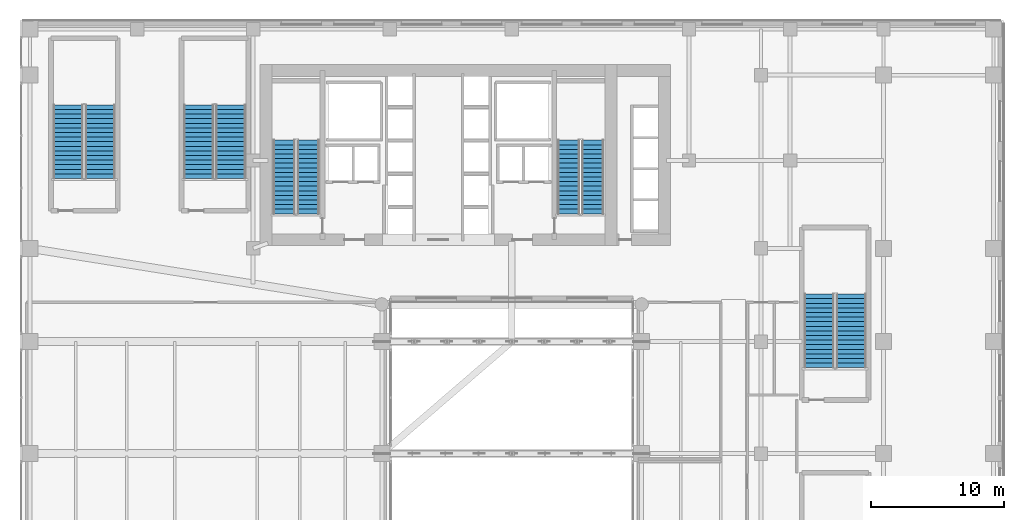
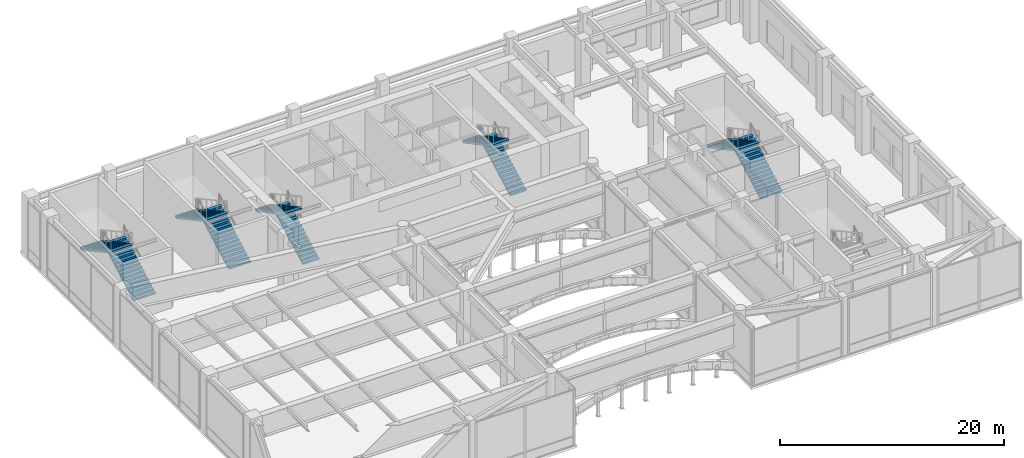
# One storey, part 42 of 50: 10 stair flights, 5 elements without a shape of their own.
"""IFC4 building model written with IfcOpenShell, lengths in metres."""

from ifc_helpers import new_model, si_unit, direction, frame, origin, place, context, subcontext, project, spatial, polyline, outline, extrude, material, type_object, element, aggregate, save


model = new_model("IFC4")

# Units and contexts
model_context = context("Model", 3, precision=1e-05, world=origin(), true_north=direction((0.0, 1.0)))
body_context = subcontext(model_context, "Body", "Model", "MODEL_VIEW")
ifc_project = project(units=[si_unit("LENGTHUNIT", "METRE"), si_unit("AREAUNIT", "SQUARE_METRE"), si_unit("VOLUMEUNIT", "CUBIC_METRE"), si_unit("PLANEANGLEUNIT", "RADIAN"), si_unit("MASSUNIT", "GRAM", prefix="KILO")], contexts=[model_context])

# Site, building, storey
site_placement = place(None, origin())
site = spatial("IfcSite", under=ifc_project, at=site_placement, CompositionType="ELEMENT")
building_placement = place(site_placement, origin())
building = spatial("IfcBuilding", under=site, at=building_placement, Name="Tolvann Quenvar Hotel", CompositionType="ELEMENT")
storey_placement = place(building_placement, frame((0.0, 0.0, 16.0)))
storey = spatial("IfcBuildingStorey", under=building, at=storey_placement, Name="L03", CompositionType="ELEMENT", Elevation=16.0)

# Stair, stair flights
ifc_material = material(Name="Concrete N40 (40 MPa)", Category="concrete")
stair_type = type_object("IfcStairType", Name="STAIR", PredefinedType="HALF_TURN_STAIR", material=ifc_material)
stair_1_placement = place(storey_placement, origin())
stair_1 = element("IfcStair", 1, at=stair_1_placement, inside=storey, type_object=stair_type, Name="L03 ST-C1", PredefinedType="HALF_TURN_STAIR")
stair_flight_type = type_object("IfcStairFlightType", Name="STAIR_FLIGHT", PredefinedType="STRAIGHT", material=ifc_material)
stair_flight_1_placement = place(storey_placement, frame((13.22509765625, 34.0, 0.0), z_axis=(0.0, 0.0, 1.0), x_axis=(0.0, 1.0, 0.0)))
stair_flight_1 = element("IfcStairFlight", 2, at=stair_flight_1_placement, type_object=stair_flight_type, Name="ST-C1 flight 1", NumberOfRisers=17, NumberOfTreads=16, PredefinedType="STRAIGHT", RiserHeight=0.188235294, TreadLength=0.345, context=body_context, shape_type="SweptSolid", body=[
    extrude(outline(polyline([(0.0, 0.0), (0.0, 0.188232421875), (0.344970703125, 0.188232421875), (0.344970703125, 0.37646484375), (0.68994140625, 0.37646484375), (0.68994140625, 0.564697265625), (1.034912109375, 0.564697265625), (1.034912109375, 0.7529296875), (1.3798828125, 0.7529296875), (1.3798828125, 0.941162109375), (1.72509765625, 0.941162109375), (1.72509765625, 1.12939453125), (2.070068359375, 1.12939453125), (2.070068359375, 1.317626953125), (2.4150390625, 1.317626953125), (2.4150390625, 1.505859375), (2.760009765625, 1.505859375), (2.760009765625, 1.694091796875), (3.10498046875, 1.694091796875), (3.10498046875, 1.88232421875), (3.449951171875, 1.88232421875), (3.449951171875, 2.070556640625), (3.794921875, 2.070556640625), (3.794921875, 2.2587890625), (4.139892578125, 2.2587890625), (4.139892578125, 2.447021484375), (4.485107421875, 2.447021484375), (4.485107421875, 2.63525390625), (4.830078125, 2.63525390625), (4.830078125, 2.823486328125), (5.175048828125, 2.823486328125), (5.175048828125, 3.01171875), (5.52001953125, 3.01171875), (5.52001953125, 3.199951171875), (5.52001953125, 2.841064453125), (0.31298828125, 0.0), (0.0, 0.0)])), frame((0.0, 0.824951171875, 0.0), z_axis=(0.0, -1.0, 0.0), x_axis=(1.0, 0.0, 0.0)), (0.0, 0.0, 1.0), 1.64990234375),
])
stair_flight_2_placement = place(storey_placement, frame((11.425048828125, 39.52001953125, 3.199951171875), z_axis=(0.0, 0.0, 1.0), x_axis=(0.0, -1.0, 0.0)))
stair_flight_2 = element("IfcStairFlight", 3, at=stair_flight_2_placement, type_object=stair_flight_type, Name="ST-C1 flight 2", NumberOfRisers=17, NumberOfTreads=16, PredefinedType="STRAIGHT", RiserHeight=0.188235294, TreadLength=0.345, context=body_context, shape_type="SweptSolid", body=[
    extrude(outline(polyline([(0.0, 0.0), (0.0, 0.188232421875), (0.344970703125, 0.188232421875), (0.344970703125, 0.37646484375), (0.68994140625, 0.37646484375), (0.68994140625, 0.564697265625), (1.034912109375, 0.564697265625), (1.034912109375, 0.7529296875), (1.3798828125, 0.7529296875), (1.3798828125, 0.941162109375), (1.72509765625, 0.941162109375), (1.72509765625, 1.12939453125), (2.070068359375, 1.12939453125), (2.070068359375, 1.317626953125), (2.4150390625, 1.317626953125), (2.4150390625, 1.505859375), (2.760009765625, 1.505859375), (2.760009765625, 1.694091796875), (3.10498046875, 1.694091796875), (3.10498046875, 1.88232421875), (3.449951171875, 1.88232421875), (3.449951171875, 2.070556640625), (3.794921875, 2.070556640625), (3.794921875, 2.2587890625), (4.139892578125, 2.2587890625), (4.139892578125, 2.447021484375), (4.485107421875, 2.447021484375), (4.485107421875, 2.63525390625), (4.830078125, 2.63525390625), (4.830078125, 2.823486328125), (5.175048828125, 2.823486328125), (5.175048828125, 3.01171875), (5.52001953125, 3.01171875), (5.52001953125, 3.199951171875), (5.52001953125, 2.841064453125), (0.31298828125, 0.0), (0.0, 0.0)])), frame((0.0, 0.824951171875, 0.0), z_axis=(0.0, -1.0, 0.0), x_axis=(1.0, 0.0, 0.0)), (0.0, 0.0, 1.0), 1.64990234375),
])
aggregate(stair_1, [stair_flight_1, stair_flight_2])

stair_2_placement = place(storey_placement, origin())
stair_2 = element("IfcStair", 4, at=stair_2_placement, inside=storey, type_object=stair_type, Name="L03 ST-C2", PredefinedType="HALF_TURN_STAIR")
stair_flight_3_placement = place(storey_placement, frame((34.574951171875, 34.0, 0.0), z_axis=(0.0, 0.0, 1.0), x_axis=(0.0, 1.0, 0.0)))
stair_flight_3 = element("IfcStairFlight", 5, at=stair_flight_3_placement, type_object=stair_flight_type, Name="ST-C2 flight 1", NumberOfRisers=17, NumberOfTreads=16, PredefinedType="STRAIGHT", RiserHeight=0.188235294, TreadLength=0.345, context=body_context, shape_type="SweptSolid", body=[
    extrude(outline(polyline([(0.0, 0.0), (0.0, 0.188232421875), (0.344970703125, 0.188232421875), (0.344970703125, 0.37646484375), (0.68994140625, 0.37646484375), (0.68994140625, 0.564697265625), (1.034912109375, 0.564697265625), (1.034912109375, 0.7529296875), (1.3798828125, 0.7529296875), (1.3798828125, 0.941162109375), (1.72509765625, 0.941162109375), (1.72509765625, 1.12939453125), (2.070068359375, 1.12939453125), (2.070068359375, 1.317626953125), (2.4150390625, 1.317626953125), (2.4150390625, 1.505859375), (2.760009765625, 1.505859375), (2.760009765625, 1.694091796875), (3.10498046875, 1.694091796875), (3.10498046875, 1.88232421875), (3.449951171875, 1.88232421875), (3.449951171875, 2.070556640625), (3.794921875, 2.070556640625), (3.794921875, 2.2587890625), (4.139892578125, 2.2587890625), (4.139892578125, 2.447021484375), (4.485107421875, 2.447021484375), (4.485107421875, 2.63525390625), (4.830078125, 2.63525390625), (4.830078125, 2.823486328125), (5.175048828125, 2.823486328125), (5.175048828125, 3.01171875), (5.52001953125, 3.01171875), (5.52001953125, 3.199951171875), (5.52001953125, 2.841064453125), (0.31298828125, 0.0), (0.0, 0.0)])), frame((0.0, 0.824951171875, 0.0), z_axis=(0.0, -1.0, 0.0), x_axis=(1.0, 0.0, 0.0)), (0.0, 0.0, 1.0), 1.64990234375),
])
stair_flight_4_placement = place(storey_placement, frame((32.77490234375, 39.52001953125, 3.199951171875), z_axis=(0.0, 0.0, 1.0), x_axis=(0.0, -1.0, 0.0)))
stair_flight_4 = element("IfcStairFlight", 6, at=stair_flight_4_placement, type_object=stair_flight_type, Name="ST-C2 flight 2", NumberOfRisers=17, NumberOfTreads=16, PredefinedType="STRAIGHT", RiserHeight=0.188235294, TreadLength=0.345, context=body_context, shape_type="SweptSolid", body=[
    extrude(outline(polyline([(0.0, 0.0), (0.0, 0.188232421875), (0.344970703125, 0.188232421875), (0.344970703125, 0.37646484375), (0.68994140625, 0.37646484375), (0.68994140625, 0.564697265625), (1.034912109375, 0.564697265625), (1.034912109375, 0.7529296875), (1.3798828125, 0.7529296875), (1.3798828125, 0.941162109375), (1.72509765625, 0.941162109375), (1.72509765625, 1.12939453125), (2.070068359375, 1.12939453125), (2.070068359375, 1.317626953125), (2.4150390625, 1.317626953125), (2.4150390625, 1.505859375), (2.760009765625, 1.505859375), (2.760009765625, 1.694091796875), (3.10498046875, 1.694091796875), (3.10498046875, 1.88232421875), (3.449951171875, 1.88232421875), (3.449951171875, 2.070556640625), (3.794921875, 2.070556640625), (3.794921875, 2.2587890625), (4.139892578125, 2.2587890625), (4.139892578125, 2.447021484375), (4.485107421875, 2.447021484375), (4.485107421875, 2.63525390625), (4.830078125, 2.63525390625), (4.830078125, 2.823486328125), (5.175048828125, 2.823486328125), (5.175048828125, 3.01171875), (5.52001953125, 3.01171875), (5.52001953125, 3.199951171875), (5.52001953125, 2.841064453125), (0.31298828125, 0.0), (0.0, 0.0)])), frame((0.0, 0.824951171875, 0.0), z_axis=(0.0, -1.0, 0.0), x_axis=(1.0, 0.0, 0.0)), (0.0, 0.0, 1.0), 1.64990234375),
])
aggregate(stair_2, [stair_flight_3, stair_flight_4])

stair_3_placement = place(storey_placement, origin())
stair_3 = element("IfcStair", 7, at=stair_3_placement, inside=storey, type_object=stair_type, Name="L03 ST-P1", PredefinedType="HALF_TURN_STAIR")
stair_flight_5_placement = place(storey_placement, frame((-2.375, 36.64990234375, 0.0), z_axis=(0.0, 0.0, 1.0), x_axis=(0.0, 1.0, 0.0)))
stair_flight_5 = element("IfcStairFlight", 8, at=stair_flight_5_placement, type_object=stair_flight_type, Name="ST-P1 flight 1", NumberOfRisers=17, NumberOfTreads=16, PredefinedType="STRAIGHT", RiserHeight=0.188235294, TreadLength=0.345, context=body_context, shape_type="SweptSolid", body=[
    extrude(outline(polyline([(0.0, 0.0), (0.0, 0.188232421875), (0.344970703125, 0.188232421875), (0.344970703125, 0.37646484375), (0.68994140625, 0.37646484375), (0.68994140625, 0.564697265625), (1.034912109375, 0.564697265625), (1.034912109375, 0.7529296875), (1.3798828125, 0.7529296875), (1.3798828125, 0.941162109375), (1.72509765625, 0.941162109375), (1.72509765625, 1.12939453125), (2.070068359375, 1.12939453125), (2.070068359375, 1.317626953125), (2.4150390625, 1.317626953125), (2.4150390625, 1.505859375), (2.760009765625, 1.505859375), (2.760009765625, 1.694091796875), (3.10498046875, 1.694091796875), (3.10498046875, 1.88232421875), (3.449951171875, 1.88232421875), (3.449951171875, 2.070556640625), (3.794921875, 2.070556640625), (3.794921875, 2.2587890625), (4.139892578125, 2.2587890625), (4.139892578125, 2.447021484375), (4.485107421875, 2.447021484375), (4.485107421875, 2.63525390625), (4.830078125, 2.63525390625), (4.830078125, 2.823486328125), (5.175048828125, 2.823486328125), (5.175048828125, 3.01171875), (5.52001953125, 3.01171875), (5.52001953125, 3.199951171875), (5.52001953125, 2.841064453125), (0.31298828125, 0.0), (0.0, 0.0)])), frame((0.0, 1.125, 0.0), z_axis=(0.0, -1.0, 0.0), x_axis=(1.0, 0.0, 0.0)), (0.0, 0.0, 1.0), 2.25),
])
stair_flight_6_placement = place(storey_placement, frame((-4.77490234375, 42.169921875, 3.199951171875), z_axis=(0.0, 0.0, 1.0), x_axis=(0.0, -1.0, 0.0)))
stair_flight_6 = element("IfcStairFlight", 9, at=stair_flight_6_placement, type_object=stair_flight_type, Name="ST-P1 flight 2", NumberOfRisers=17, NumberOfTreads=16, PredefinedType="STRAIGHT", RiserHeight=0.188235294, TreadLength=0.345, context=body_context, shape_type="SweptSolid", body=[
    extrude(outline(polyline([(0.0, 0.0), (0.0, 0.188232421875), (0.344970703125, 0.188232421875), (0.344970703125, 0.37646484375), (0.68994140625, 0.37646484375), (0.68994140625, 0.564697265625), (1.034912109375, 0.564697265625), (1.034912109375, 0.7529296875), (1.3798828125, 0.7529296875), (1.3798828125, 0.941162109375), (1.72509765625, 0.941162109375), (1.72509765625, 1.12939453125), (2.070068359375, 1.12939453125), (2.070068359375, 1.317626953125), (2.4150390625, 1.317626953125), (2.4150390625, 1.505859375), (2.760009765625, 1.505859375), (2.760009765625, 1.694091796875), (3.10498046875, 1.694091796875), (3.10498046875, 1.88232421875), (3.449951171875, 1.88232421875), (3.449951171875, 2.070556640625), (3.794921875, 2.070556640625), (3.794921875, 2.2587890625), (4.139892578125, 2.2587890625), (4.139892578125, 2.447021484375), (4.485107421875, 2.447021484375), (4.485107421875, 2.63525390625), (4.830078125, 2.63525390625), (4.830078125, 2.823486328125), (5.175048828125, 2.823486328125), (5.175048828125, 3.01171875), (5.52001953125, 3.01171875), (5.52001953125, 3.199951171875), (5.52001953125, 2.841064453125), (0.31298828125, 0.0), (0.0, 0.0)])), frame((0.0, 1.125, 0.0), z_axis=(0.0, -1.0, 0.0), x_axis=(1.0, 0.0, 0.0)), (0.0, 0.0, 1.0), 2.25),
])
aggregate(stair_3, [stair_flight_5, stair_flight_6])

stair_4_placement = place(storey_placement, origin())
stair_4 = element("IfcStair", 10, at=stair_4_placement, inside=storey, type_object=stair_type, Name="L03 ST-P2", PredefinedType="HALF_TURN_STAIR")
stair_flight_7_placement = place(storey_placement, frame((7.425048828125, 36.64990234375, 0.0), z_axis=(0.0, 0.0, 1.0), x_axis=(0.0, 1.0, 0.0)))
stair_flight_7 = element("IfcStairFlight", 11, at=stair_flight_7_placement, type_object=stair_flight_type, Name="ST-P2 flight 1", NumberOfRisers=17, NumberOfTreads=16, PredefinedType="STRAIGHT", RiserHeight=0.188235294, TreadLength=0.345, context=body_context, shape_type="SweptSolid", body=[
    extrude(outline(polyline([(0.0, 0.0), (0.0, 0.188232421875), (0.344970703125, 0.188232421875), (0.344970703125, 0.37646484375), (0.68994140625, 0.37646484375), (0.68994140625, 0.564697265625), (1.034912109375, 0.564697265625), (1.034912109375, 0.7529296875), (1.3798828125, 0.7529296875), (1.3798828125, 0.941162109375), (1.72509765625, 0.941162109375), (1.72509765625, 1.12939453125), (2.070068359375, 1.12939453125), (2.070068359375, 1.317626953125), (2.4150390625, 1.317626953125), (2.4150390625, 1.505859375), (2.760009765625, 1.505859375), (2.760009765625, 1.694091796875), (3.10498046875, 1.694091796875), (3.10498046875, 1.88232421875), (3.449951171875, 1.88232421875), (3.449951171875, 2.070556640625), (3.794921875, 2.070556640625), (3.794921875, 2.2587890625), (4.139892578125, 2.2587890625), (4.139892578125, 2.447021484375), (4.485107421875, 2.447021484375), (4.485107421875, 2.63525390625), (4.830078125, 2.63525390625), (4.830078125, 2.823486328125), (5.175048828125, 2.823486328125), (5.175048828125, 3.01171875), (5.52001953125, 3.01171875), (5.52001953125, 3.199951171875), (5.52001953125, 2.841064453125), (0.31298828125, 0.0), (0.0, 0.0)])), frame((0.0, 1.125, 0.0), z_axis=(0.0, -1.0, 0.0), x_axis=(1.0, 0.0, 0.0)), (0.0, 0.0, 1.0), 2.25),
])
stair_flight_8_placement = place(storey_placement, frame((5.02490234375, 42.169921875, 3.199951171875), z_axis=(0.0, 0.0, 1.0), x_axis=(0.0, -1.0, 0.0)))
stair_flight_8 = element("IfcStairFlight", 12, at=stair_flight_8_placement, type_object=stair_flight_type, Name="ST-P2 flight 2", NumberOfRisers=17, NumberOfTreads=16, PredefinedType="STRAIGHT", RiserHeight=0.188235294, TreadLength=0.345, context=body_context, shape_type="SweptSolid", body=[
    extrude(outline(polyline([(0.0, 0.0), (0.0, 0.188232421875), (0.344970703125, 0.188232421875), (0.344970703125, 0.37646484375), (0.68994140625, 0.37646484375), (0.68994140625, 0.564697265625), (1.034912109375, 0.564697265625), (1.034912109375, 0.7529296875), (1.3798828125, 0.7529296875), (1.3798828125, 0.941162109375), (1.72509765625, 0.941162109375), (1.72509765625, 1.12939453125), (2.070068359375, 1.12939453125), (2.070068359375, 1.317626953125), (2.4150390625, 1.317626953125), (2.4150390625, 1.505859375), (2.760009765625, 1.505859375), (2.760009765625, 1.694091796875), (3.10498046875, 1.694091796875), (3.10498046875, 1.88232421875), (3.449951171875, 1.88232421875), (3.449951171875, 2.070556640625), (3.794921875, 2.070556640625), (3.794921875, 2.2587890625), (4.139892578125, 2.2587890625), (4.139892578125, 2.447021484375), (4.485107421875, 2.447021484375), (4.485107421875, 2.63525390625), (4.830078125, 2.63525390625), (4.830078125, 2.823486328125), (5.175048828125, 2.823486328125), (5.175048828125, 3.01171875), (5.52001953125, 3.01171875), (5.52001953125, 3.199951171875), (5.52001953125, 2.841064453125), (0.31298828125, 0.0), (0.0, 0.0)])), frame((0.0, 1.125, 0.0), z_axis=(0.0, -1.0, 0.0), x_axis=(1.0, 0.0, 0.0)), (0.0, 0.0, 1.0), 2.25),
])
aggregate(stair_4, [stair_flight_7, stair_flight_8])

stair_5_placement = place(storey_placement, origin())
stair_5 = element("IfcStair", 13, at=stair_5_placement, inside=storey, type_object=stair_type, Name="L03 ST-P4", PredefinedType="HALF_TURN_STAIR")
stair_flight_9_placement = place(storey_placement, frame((53.97509765625, 22.449951171875, 0.0), z_axis=(0.0, 0.0, 1.0), x_axis=(0.0, 1.0, 0.0)))
stair_flight_9 = element("IfcStairFlight", 14, at=stair_flight_9_placement, type_object=stair_flight_type, Name="ST-P4 flight 1", NumberOfRisers=17, NumberOfTreads=16, PredefinedType="STRAIGHT", RiserHeight=0.188235294, TreadLength=0.345, context=body_context, shape_type="SweptSolid", body=[
    extrude(outline(polyline([(0.0, 0.0), (0.0, 0.188232421875), (0.344970703125, 0.188232421875), (0.344970703125, 0.37646484375), (0.68994140625, 0.37646484375), (0.68994140625, 0.564697265625), (1.034912109375, 0.564697265625), (1.034912109375, 0.7529296875), (1.3798828125, 0.7529296875), (1.3798828125, 0.941162109375), (1.72509765625, 0.941162109375), (1.72509765625, 1.12939453125), (2.070068359375, 1.12939453125), (2.070068359375, 1.317626953125), (2.4150390625, 1.317626953125), (2.4150390625, 1.505859375), (2.760009765625, 1.505859375), (2.760009765625, 1.694091796875), (3.10498046875, 1.694091796875), (3.10498046875, 1.88232421875), (3.449951171875, 1.88232421875), (3.449951171875, 2.070556640625), (3.794921875, 2.070556640625), (3.794921875, 2.2587890625), (4.139892578125, 2.2587890625), (4.139892578125, 2.447021484375), (4.485107421875, 2.447021484375), (4.485107421875, 2.63525390625), (4.830078125, 2.63525390625), (4.830078125, 2.823486328125), (5.175048828125, 2.823486328125), (5.175048828125, 3.01171875), (5.52001953125, 3.01171875), (5.52001953125, 3.199951171875), (5.52001953125, 2.841064453125), (0.31298828125, 0.0), (0.0, 0.0)])), frame((0.0, 1.125, 0.0), z_axis=(0.0, -1.0, 0.0), x_axis=(1.0, 0.0, 0.0)), (0.0, 0.0, 1.0), 2.25),
])
stair_flight_10_placement = place(storey_placement, frame((51.574951171875, 27.969970703125, 3.199951171875), z_axis=(0.0, 0.0, 1.0), x_axis=(0.0, -1.0, 0.0)))
stair_flight_10 = element("IfcStairFlight", 15, at=stair_flight_10_placement, type_object=stair_flight_type, Name="ST-P4 flight 2", NumberOfRisers=17, NumberOfTreads=16, PredefinedType="STRAIGHT", RiserHeight=0.188235294, TreadLength=0.345, context=body_context, shape_type="SweptSolid", body=[
    extrude(outline(polyline([(0.0, 0.0), (0.0, 0.188232421875), (0.344970703125, 0.188232421875), (0.344970703125, 0.37646484375), (0.68994140625, 0.37646484375), (0.68994140625, 0.564697265625), (1.034912109375, 0.564697265625), (1.034912109375, 0.7529296875), (1.3798828125, 0.7529296875), (1.3798828125, 0.941162109375), (1.72509765625, 0.941162109375), (1.72509765625, 1.12939453125), (2.070068359375, 1.12939453125), (2.070068359375, 1.317626953125), (2.4150390625, 1.317626953125), (2.4150390625, 1.505859375), (2.760009765625, 1.505859375), (2.760009765625, 1.694091796875), (3.10498046875, 1.694091796875), (3.10498046875, 1.88232421875), (3.449951171875, 1.88232421875), (3.449951171875, 2.070556640625), (3.794921875, 2.070556640625), (3.794921875, 2.2587890625), (4.139892578125, 2.2587890625), (4.139892578125, 2.447021484375), (4.485107421875, 2.447021484375), (4.485107421875, 2.63525390625), (4.830078125, 2.63525390625), (4.830078125, 2.823486328125), (5.175048828125, 2.823486328125), (5.175048828125, 3.01171875), (5.52001953125, 3.01171875), (5.52001953125, 3.199951171875), (5.52001953125, 2.841064453125), (0.31298828125, 0.0), (0.0, 0.0)])), frame((0.0, 1.125, 0.0), z_axis=(0.0, -1.0, 0.0), x_axis=(1.0, 0.0, 0.0)), (0.0, 0.0, 1.0), 2.25),
])
aggregate(stair_5, [stair_flight_9, stair_flight_10])

save(model, "model.ifc")
